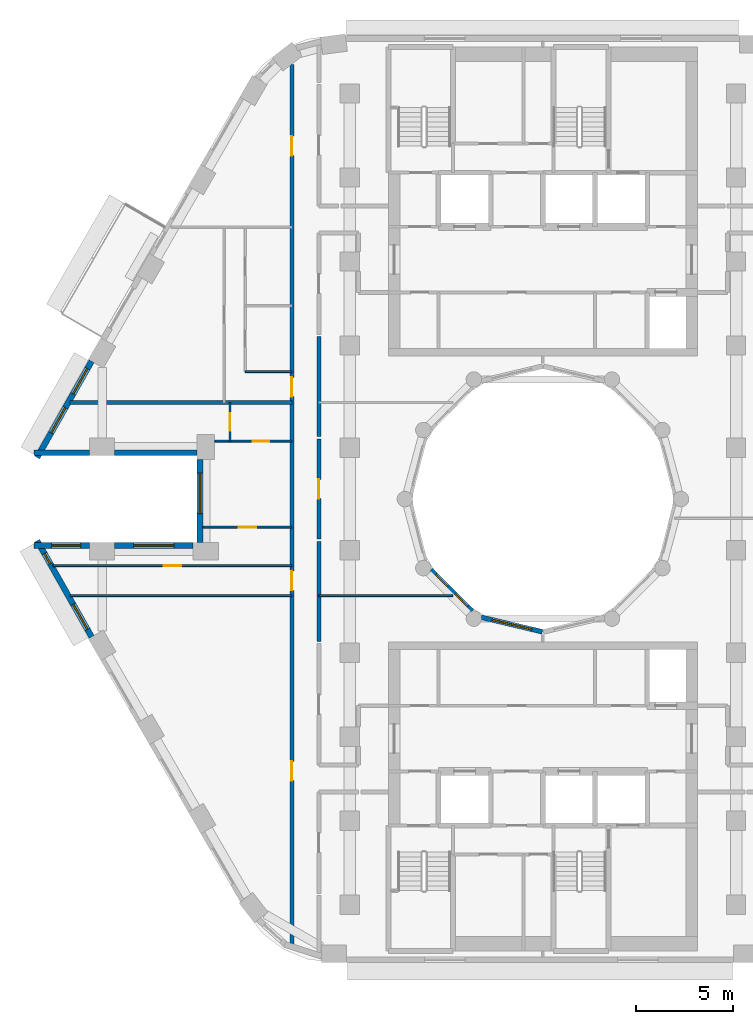
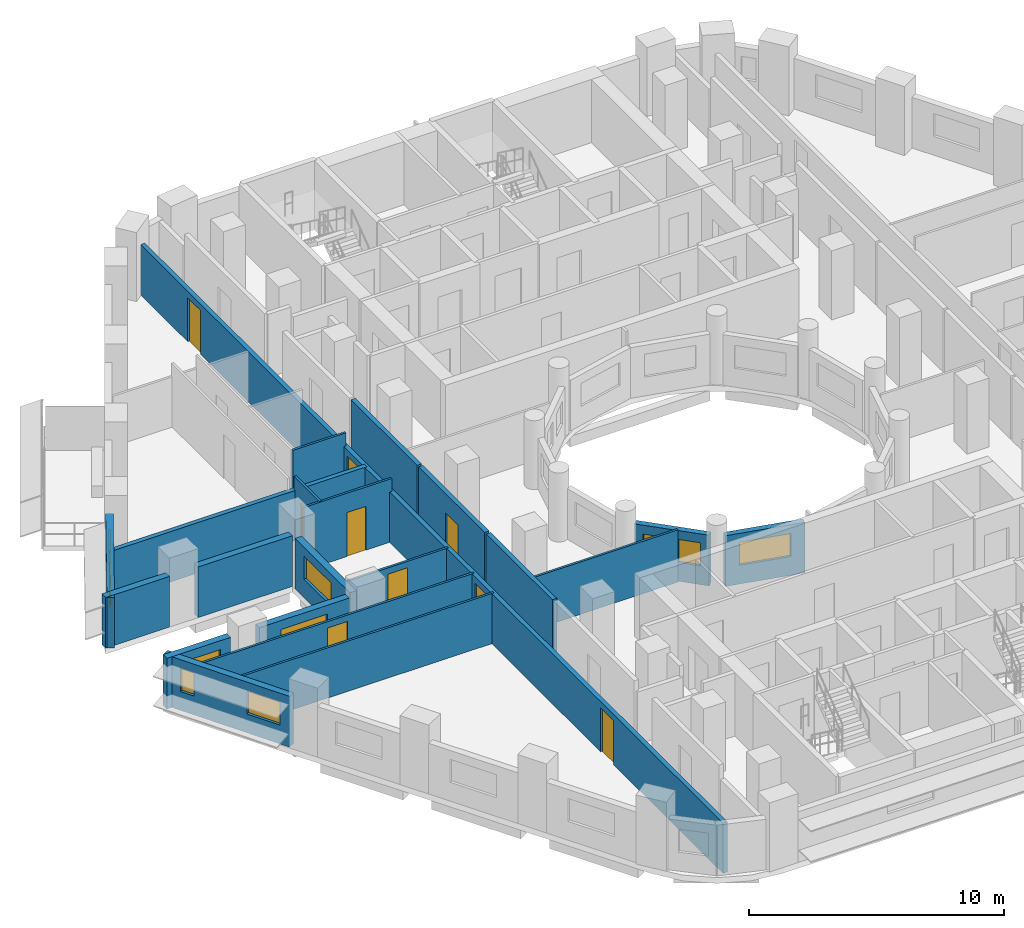
# One storey, part 4 of 13: 21 walls, 10 windows, 9 doors, 19 openings.
"""IFC4 building model written with IfcOpenShell, lengths in metres."""

from ifc_helpers import new_model, si_unit, direction, frame, frame_2d, origin, place, context, subcontext, project, spatial, rectangle, extrude, material, layer, layer_set, type_object, element, fill, save


model = new_model("IFC4")

# Units and contexts
model_context = context("Model", 3, precision=1e-05, world=origin(), true_north=direction((0.0, 1.0)))
body_context = subcontext(model_context, "Body", "Model", "MODEL_VIEW")
ifc_project = project(units=[si_unit("LENGTHUNIT", "METRE"), si_unit("AREAUNIT", "SQUARE_METRE"), si_unit("VOLUMEUNIT", "CUBIC_METRE"), si_unit("PLANEANGLEUNIT", "RADIAN"), si_unit("MASSUNIT", "GRAM", prefix="KILO")], contexts=[model_context])

# Site, building, storey
site_placement = place(None, origin())
site = spatial("IfcSite", under=ifc_project, at=site_placement, CompositionType="ELEMENT")
building_placement = place(site_placement, origin())
building = spatial("IfcBuilding", under=site, at=building_placement, Name="Nakaniwa Court", CompositionType="ELEMENT")
storey_placement = place(building_placement, frame((0.0, 0.0, 150.300048828125)))
storey = spatial("IfcBuildingStorey", under=building, at=storey_placement, Name="L39", CompositionType="ELEMENT", Elevation=150.300048828125)

# Wall
ifc_material_1 = material(Name="Acoustic double stud partition")
ifc_layer_1 = layer(ifc_material_1, 0.199951171875)
ifc_layer_set_1 = layer_set([ifc_layer_1], Name="Acoustic double stud partition")
wall_type_1 = type_object("IfcWallType", Name="Acoustic double stud partition 200", PredefinedType="PARTITIONING", material=ifc_layer_set_1)
wall_1_placement = place(storey_placement, frame((68.39990234375, 72.627197265625, 0.0), z_axis=(0.0, 0.0, 1.0), x_axis=(0.0, 1.0, 0.0)))
element("IfcWall", 1, at=wall_1_placement, inside=storey, type_object=wall_type_1, Name="Partition PW-100", PredefinedType="PARTITIONING", context=body_context, shape_type="SweptSolid", body=[
    extrude(rectangle(XDim=5.185546875, YDim=0.199951171875, at=frame_2d((2.5927734375, 0.0))), origin(), (0.0, 0.0, 1.0), 3.02490234375),
])

# Wall, opening, door
wall_2_placement = place(storey_placement, frame((68.39990234375, 83.11279296875, 0.0), z_axis=(0.0, 0.0, 1.0), x_axis=(0.0, -1.0, 0.0)))
wall_2 = element("IfcWall", 2, at=wall_2_placement, inside=storey, type_object=wall_type_1, Name="Partition PW-101", PredefinedType="PARTITIONING", context=body_context, shape_type="SweptSolid", body=[
    extrude(rectangle(XDim=5.185546875, YDim=0.199951171875, at=frame_2d((2.5927734375, 0.0))), origin(), (0.0, 0.0, 1.0), 3.02490234375),
])
opening_1_placement = place(wall_2_placement, frame((2.093017578125, 0.0, 0.0)))
opening_1 = element("IfcOpeningElement", 3, at=opening_1_placement, cuts=wall_2, Name="Opening D-02-08", PredefinedType="OPENING", context=body_context, shape_type="SweptSolid", body=[
    extrude(rectangle(XDim=1.0, YDim=2.10009765625, at=frame_2d((0.5, 1.050048828125))), frame((0.0, 0.10986328125, 0.0), z_axis=(0.0, -1.0, 0.0), x_axis=(1.0, 0.0, 0.0)), (0.0, 0.0, 1.0), 0.219970703125),
])
ifc_material_2 = material(Name="Solid core timber door set, black veneer", Category="wood")
door_type_1 = type_object("IfcDoorType", Name="Internal door 1000", OperationType="NOTDEFINED", PredefinedType="DOOR", material=ifc_material_2)
door_1_placement = place(opening_1_placement, origin())
door_1 = element("IfcDoor", 4, at=door_1_placement, inside=storey, type_object=door_type_1, Name="Door D-02-08 L39-039", OperationType="SINGLE_SWING_RIGHT", OverallHeight=2.10009765625, OverallWidth=1.0, PredefinedType="DOOR", context=body_context, shape_type="SweptSolid", body=[
    extrude(rectangle(XDim=1.0, YDim=2.10009765625, at=frame_2d((0.5, 1.050048828125))), frame((0.0, 0.02490234375, 0.0), z_axis=(0.0, -1.0, 0.0), x_axis=(1.0, 0.0, 0.0)), (0.0, 0.0, 1.0), 0.050048828125),
])
fill(opening_1, door_1)

# Wall
wall_3_placement = place(storey_placement, frame((68.39990234375, 83.227294921875, 0.0), z_axis=(0.0, 0.0, 1.0), x_axis=(0.0, 1.0, 0.0)))
element("IfcWall", 5, at=wall_3_placement, inside=storey, type_object=wall_type_1, Name="Partition PW-102", PredefinedType="PARTITIONING", context=body_context, shape_type="SweptSolid", body=[
    extrude(rectangle(XDim=5.185546875, YDim=0.199951171875, at=frame_2d((2.5927734375, 0.0))), origin(), (0.0, 0.0, 1.0), 3.02490234375),
])

# Wall, openings, doors
wall_4_placement = place(storey_placement, frame((67.0, 56.833251953125, 0.0), z_axis=(0.0, 0.0, 1.0), x_axis=(0.0, 1.0, 0.0)))
wall_4 = element("IfcWall", 6, at=wall_4_placement, inside=storey, type_object=wall_type_1, Name="Partition PW-106", PredefinedType="PARTITIONING", context=body_context, shape_type="SweptSolid", body=[
    extrude(rectangle(XDim=45.660888671875, YDim=0.199951171875, at=frame_2d((22.83056640625, 0.0))), origin(), (0.0, 0.0, 1.0), 2.405029296875),
])
opening_2_placement = place(wall_4_placement, frame((8.583984375, 0.0, 0.0)))
opening_2 = element("IfcOpeningElement", 7, at=opening_2_placement, cuts=wall_4, Name="Opening D-02-06", PredefinedType="OPENING", context=body_context, shape_type="SweptSolid", body=[
    extrude(rectangle(XDim=1.0, YDim=2.10009765625, at=frame_2d((0.5, 1.050048828125))), frame((0.0, 0.10986328125, 0.0), z_axis=(0.0, -1.0, 0.0), x_axis=(1.0, 0.0, 0.0)), (0.0, 0.0, 1.0), 0.219970703125),
])
opening_3_placement = place(wall_4_placement, frame((18.44189453125, 0.0, 0.0)))
opening_3 = element("IfcOpeningElement", 8, at=opening_3_placement, cuts=wall_4, Name="Opening D-01-02", PredefinedType="OPENING", context=body_context, shape_type="SweptSolid", body=[
    extrude(rectangle(XDim=1.0, YDim=2.10009765625, at=frame_2d((0.5, 1.050048828125))), frame((0.0, 0.10986328125, 0.0), z_axis=(0.0, -1.0, 0.0), x_axis=(1.0, 0.0, 0.0)), (0.0, 0.0, 1.0), 0.219970703125),
])
opening_4_placement = place(wall_4_placement, frame((28.467041015625, 0.0, 0.0)))
opening_4 = element("IfcOpeningElement", 9, at=opening_4_placement, cuts=wall_4, Name="Opening D-01-03", PredefinedType="OPENING", context=body_context, shape_type="SweptSolid", body=[
    extrude(rectangle(XDim=1.0, YDim=2.10009765625, at=frame_2d((0.5, 1.050048828125))), frame((0.0, 0.10986328125, 0.0), z_axis=(0.0, -1.0, 0.0), x_axis=(1.0, 0.0, 0.0)), (0.0, 0.0, 1.0), 0.219970703125),
])
opening_5_placement = place(wall_4_placement, frame((40.952880859375, 0.0, 0.0)))
opening_5 = element("IfcOpeningElement", 10, at=opening_5_placement, cuts=wall_4, Name="Opening D-02-13", PredefinedType="OPENING", context=body_context, shape_type="SweptSolid", body=[
    extrude(rectangle(XDim=1.0, YDim=2.10009765625, at=frame_2d((0.5, 1.050048828125))), frame((0.0, 0.10986328125, 0.0), z_axis=(0.0, -1.0, 0.0), x_axis=(1.0, 0.0, 0.0)), (0.0, 0.0, 1.0), 0.219970703125),
])
door_type_2 = type_object("IfcDoorType", Name="Flat entrance door 1000", OperationType="NOTDEFINED", PredefinedType="DOOR", material=ifc_material_2)
door_2_placement = place(opening_3_placement, origin())
door_2 = element("IfcDoor", 11, at=door_2_placement, inside=storey, type_object=door_type_2, Name="Door D-01-02 L39-034", OperationType="SINGLE_SWING_LEFT", OverallHeight=2.10009765625, OverallWidth=1.0, PredefinedType="DOOR", context=body_context, shape_type="SweptSolid", body=[
    extrude(rectangle(XDim=1.0, YDim=2.10009765625, at=frame_2d((0.5, 1.050048828125))), frame((0.0, 0.02490234375, 0.0), z_axis=(0.0, -1.0, 0.0), x_axis=(1.0, 0.0, 0.0)), (0.0, 0.0, 1.0), 0.050048828125),
])
fill(opening_3, door_2)
door_3_placement = place(opening_4_placement, origin())
door_3 = element("IfcDoor", 12, at=door_3_placement, inside=storey, type_object=door_type_2, Name="Door D-01-03 L39-041", OperationType="SINGLE_SWING_RIGHT", OverallHeight=2.10009765625, OverallWidth=1.0, PredefinedType="DOOR", context=body_context, shape_type="SweptSolid", body=[
    extrude(rectangle(XDim=1.0, YDim=2.10009765625, at=frame_2d((0.5, 1.050048828125))), frame((0.0, 0.02490234375, 0.0), z_axis=(0.0, -1.0, 0.0), x_axis=(1.0, 0.0, 0.0)), (0.0, 0.0, 1.0), 0.050048828125),
])
fill(opening_4, door_3)
door_4_placement = place(opening_2_placement, origin())
door_4 = element("IfcDoor", 13, at=door_4_placement, inside=storey, type_object=door_type_1, Name="Door D-02-06 L39-032", OperationType="SINGLE_SWING_LEFT", OverallHeight=2.10009765625, OverallWidth=1.0, PredefinedType="DOOR", context=body_context, shape_type="SweptSolid", body=[
    extrude(rectangle(XDim=1.0, YDim=2.10009765625, at=frame_2d((0.5, 1.050048828125))), frame((0.0, 0.02490234375, 0.0), z_axis=(0.0, -1.0, 0.0), x_axis=(1.0, 0.0, 0.0)), (0.0, 0.0, 1.0), 0.050048828125),
])
fill(opening_2, door_4)
door_5_placement = place(opening_5_placement, origin())
door_5 = element("IfcDoor", 14, at=door_5_placement, inside=storey, type_object=door_type_1, Name="Door D-02-13 L39-048", OperationType="SINGLE_SWING_LEFT", OverallHeight=2.10009765625, OverallWidth=1.0, PredefinedType="DOOR", context=body_context, shape_type="SweptSolid", body=[
    extrude(rectangle(XDim=1.0, YDim=2.10009765625, at=frame_2d((0.5, 1.050048828125))), frame((0.0, 0.02490234375, 0.0), z_axis=(0.0, -1.0, 0.0), x_axis=(1.0, 0.0, 0.0)), (0.0, 0.0, 1.0), 0.050048828125),
])
fill(opening_5, door_5)

# Wall
wall_5_placement = place(storey_placement, frame((55.5205078125, 85.0, 0.0), z_axis=(0.0, 0.0, 1.0), x_axis=(1.0, 0.0, 0.0)))
element("IfcWall", 15, at=wall_5_placement, inside=storey, type_object=wall_type_1, Name="Partition PW-127", PredefinedType="PARTITIONING", context=body_context, shape_type="SweptSolid", body=[
    extrude(rectangle(XDim=11.478515625, YDim=0.199951171875, at=frame_2d((5.7392578125, 0.0))), origin(), (0.0, 0.0, 1.0), 2.405029296875),
])

# Wall, openings, windows
ifc_material_3 = material(Name="Charcoal ceramic cladding")
ifc_layer_2 = layer(ifc_material_3, 0.02, Name="Ceramic cladding")
ifc_material_4 = material(Name="Ventilated air cavity")
ifc_layer_3 = layer(ifc_material_4, 0.04, ventilated=True, Name="Ventilated cavity")
ifc_material_5 = material(Name="Mineral wool insulation")
ifc_layer_4 = layer(ifc_material_5, 0.1, Name="Insulation")
ifc_material_6 = material(Name="Cement bonded sheathing board")
ifc_layer_5 = layer(ifc_material_6, 0.012, Name="Sheathing")
ifc_material_7 = material(Name="Cold-formed galvanised stud frame with mineral wool infill")
ifc_layer_6 = layer(ifc_material_7, 0.1, Name="Stud frame")
ifc_material_8 = material(Name="Fire-rated gypsum plasterboard lining")
ifc_layer_7 = layer(ifc_material_8, 0.028, Name="Lining")
ifc_layer_set_2 = layer_set([ifc_layer_2, ifc_layer_3, ifc_layer_4, ifc_layer_5, ifc_layer_6, ifc_layer_7], Name="Charcoal ceramic faced external wall system")
wall_type_2 = type_object("IfcWallType", Name="Black ceramic faced external wall 300", PredefinedType="SOLIDWALL", material=ifc_layer_set_2)
wall_6_placement = place(storey_placement, frame((56.63427734375, 87.13720703125, 0.0), z_axis=(0.0, 0.0, 1.0), x_axis=(-0.492498306264, -0.87031340236, 0.0)))
wall_6 = element("IfcWall", 16, at=wall_6_placement, inside=storey, type_object=wall_type_2, Name="L39 external wall 14", PredefinedType="SOLIDWALL", context=body_context, shape_type="SweptSolid", body=[
    extrude(rectangle(XDim=5.7265625, YDim=0.300048828125, at=frame_2d((2.86328125, 0.0))), origin(), (0.0, 0.0, 1.0), 2.425048828125),
])
opening_6_placement = place(wall_6_placement, frame((0.4423828125, 0.0, 0.89990234375)))
opening_6 = element("IfcOpeningElement", 17, at=opening_6_placement, cuts=wall_6, Name="Opening W5.14", PredefinedType="OPENING", context=body_context, shape_type="SweptSolid", body=[
    extrude(rectangle(XDim=1.5, YDim=1.10009765625, at=frame_2d((0.75, 0.550048828125))), frame((0.0, 0.159912109375, 0.0), z_axis=(0.0, -1.0, 0.0), x_axis=(1.0, 0.0, 0.0)), (0.0, 0.0, 1.0), 0.320068359375),
])
opening_7_placement = place(wall_6_placement, frame((2.759033203125, 0.0, 0.89990234375)))
opening_7 = element("IfcOpeningElement", 18, at=opening_7_placement, cuts=wall_6, Name="Opening W5.15", PredefinedType="OPENING", context=body_context, shape_type="SweptSolid", body=[
    extrude(rectangle(XDim=1.5, YDim=1.10009765625, at=frame_2d((0.75, 0.550048828125))), frame((0.0, 0.159912109375, 0.0), z_axis=(0.0, -1.0, 0.0), x_axis=(1.0, 0.0, 0.0)), (0.0, 0.0, 1.0), 0.320068359375),
])
ifc_material_9 = material(Name="Black anodised aluminium frame with dark low-E laminated double glazing", Category="aluminium")
window_type_1 = type_object("IfcWindowType", Name="Dark glass window 1500x1100 sill 900", PartitioningType="SINGLE_PANEL", PredefinedType="WINDOW", material=ifc_material_9)
window_1_placement = place(opening_6_placement, origin())
window_1 = element("IfcWindow", 19, at=window_1_placement, inside=storey, type_object=window_type_1, Name="L39 living window 14-0", OverallHeight=1.10009765625, OverallWidth=1.5, PartitioningType="SINGLE_PANEL", PredefinedType="WINDOW", context=body_context, shape_type="SweptSolid", body=[
    extrude(rectangle(XDim=1.5, YDim=1.10009765625, at=frame_2d((0.75, 0.550048828125))), frame((0.0, 0.030029296875, 0.0), z_axis=(0.0, -1.0, 0.0), x_axis=(1.0, 0.0, 0.0)), (0.0, 0.0, 1.0), 0.06005859375),
])
fill(opening_6, window_1)
window_2_placement = place(opening_7_placement, origin())
window_2 = element("IfcWindow", 20, at=window_2_placement, inside=storey, type_object=window_type_1, Name="L39 habitable room window 14-1", OverallHeight=1.10009765625, OverallWidth=1.5, PartitioningType="SINGLE_PANEL", PredefinedType="WINDOW", context=body_context, shape_type="SweptSolid", body=[
    extrude(rectangle(XDim=1.5, YDim=1.10009765625, at=frame_2d((0.75, 0.550048828125))), frame((0.0, 0.030029296875, 0.0), z_axis=(0.0, -1.0, 0.0), x_axis=(1.0, 0.0, 0.0)), (0.0, 0.0, 1.0), 0.06005859375),
])
fill(opening_7, window_2)

# Walls
wall_7_placement = place(storey_placement, frame((53.643310546875, 82.39990234375, 0.0), z_axis=(0.0, 0.0, 1.0), x_axis=(1.0, 0.0, 0.0)))
element("IfcWall", 21, at=wall_7_placement, inside=storey, type_object=wall_type_2, Name="L39 external wall 15", PredefinedType="SOLIDWALL", context=body_context, shape_type="SweptSolid", body=[
    extrude(rectangle(XDim=2.8876953125, YDim=0.300048828125, at=frame_2d((1.44384765625, 0.0))), origin(), (0.0, 0.0, 1.0), 2.425048828125),
])
wall_8_placement = place(storey_placement, frame((57.822998046875, 82.39990234375, 0.0), z_axis=(0.0, 0.0, 1.0), x_axis=(1.0, 0.0, 0.0)))
element("IfcWall", 22, at=wall_8_placement, inside=storey, type_object=wall_type_2, Name="L39 external wall 16", PredefinedType="SOLIDWALL", context=body_context, shape_type="SweptSolid", body=[
    extrude(rectangle(XDim=4.272705078125, YDim=0.300048828125, at=frame_2d((2.13623046875, 0.0))), origin(), (0.0, 0.0, 1.0), 2.425048828125),
])

# Wall, opening, window
wall_9_placement = place(storey_placement, frame((62.24169921875, 82.053955078125, 0.0), z_axis=(0.0, 0.0, 1.0), x_axis=(0.0, -1.0, 0.0)))
wall_9 = element("IfcWall", 23, at=wall_9_placement, inside=storey, type_object=wall_type_2, Name="L39 external wall 17", PredefinedType="SOLIDWALL", context=body_context, shape_type="SweptSolid", body=[
    extrude(rectangle(XDim=4.307861328125, YDim=0.300048828125, at=frame_2d((2.15380859375, 0.0))), origin(), (0.0, 0.0, 1.0), 2.425048828125),
])
opening_8_placement = place(wall_9_placement, frame((0.71337890625, 0.0, 0.89990234375)))
opening_8 = element("IfcOpeningElement", 24, at=opening_8_placement, cuts=wall_9, Name="Opening W7.16", PredefinedType="OPENING", context=body_context, shape_type="SweptSolid", body=[
    extrude(rectangle(XDim=2.10009765625, YDim=1.10009765625, at=frame_2d((1.050048828125, 0.550048828125))), frame((0.0, 0.159912109375, 0.0), z_axis=(0.0, -1.0, 0.0), x_axis=(1.0, 0.0, 0.0)), (0.0, 0.0, 1.0), 0.320068359375),
])
window_type_2 = type_object("IfcWindowType", Name="Dark glass window 2100x1100 sill 900", PartitioningType="SINGLE_PANEL", PredefinedType="WINDOW", material=ifc_material_9)
window_3_placement = place(opening_8_placement, origin())
window_3 = element("IfcWindow", 25, at=window_3_placement, inside=storey, type_object=window_type_2, Name="L39 living window 17-0", OverallHeight=1.10009765625, OverallWidth=2.10009765625, PartitioningType="SINGLE_PANEL", PredefinedType="WINDOW", context=body_context, shape_type="SweptSolid", body=[
    extrude(rectangle(XDim=2.10009765625, YDim=1.10009765625, at=frame_2d((1.050048828125, 0.550048828125))), frame((0.0, 0.030029296875, 0.0), z_axis=(0.0, -1.0, 0.0), x_axis=(1.0, 0.0, 0.0)), (0.0, 0.0, 1.0), 0.06005859375),
])
fill(opening_8, window_3)

wall_10_placement = place(storey_placement, frame((61.8955078125, 77.60009765625, 0.0), z_axis=(0.0, 0.0, 1.0), x_axis=(-1.0, 0.0, 0.0)))
wall_10 = element("IfcWall", 26, at=wall_10_placement, inside=storey, type_object=wall_type_2, Name="L39 external wall 18", PredefinedType="SOLIDWALL", context=body_context, shape_type="SweptSolid", body=[
    extrude(rectangle(XDim=4.072509765625, YDim=0.300048828125, at=frame_2d((2.0361328125, 0.0))), origin(), (0.0, 0.0, 1.0), 2.425048828125),
])
opening_9_placement = place(wall_10_placement, frame((0.986083984375, 0.0, 0.89990234375)))
opening_9 = element("IfcOpeningElement", 27, at=opening_9_placement, cuts=wall_10, Name="Opening W7.17", PredefinedType="OPENING", context=body_context, shape_type="SweptSolid", body=[
    extrude(rectangle(XDim=2.10009765625, YDim=1.10009765625, at=frame_2d((1.050048828125, 0.550048828125))), frame((0.0, 0.159912109375, 0.0), z_axis=(0.0, -1.0, 0.0), x_axis=(1.0, 0.0, 0.0)), (0.0, 0.0, 1.0), 0.320068359375),
])
window_4_placement = place(opening_9_placement, origin())
window_4 = element("IfcWindow", 28, at=window_4_placement, inside=storey, type_object=window_type_2, Name="L39 habitable room window 18-0", OverallHeight=1.10009765625, OverallWidth=2.10009765625, PartitioningType="SINGLE_PANEL", PredefinedType="WINDOW", context=body_context, shape_type="SweptSolid", body=[
    extrude(rectangle(XDim=2.10009765625, YDim=1.10009765625, at=frame_2d((1.050048828125, 0.550048828125))), frame((0.0, 0.030029296875, 0.0), z_axis=(0.0, -1.0, 0.0), x_axis=(1.0, 0.0, 0.0)), (0.0, 0.0, 1.0), 0.06005859375),
])
fill(opening_9, window_4)

wall_11_placement = place(storey_placement, frame((56.531005859375, 77.60009765625, 0.0), z_axis=(0.0, 0.0, 1.0), x_axis=(-1.0, 0.0, 0.0)))
wall_11 = element("IfcWall", 29, at=wall_11_placement, inside=storey, type_object=wall_type_2, Name="L39 external wall 19", PredefinedType="SOLIDWALL", context=body_context, shape_type="SweptSolid", body=[
    extrude(rectangle(XDim=2.8876953125, YDim=0.300048828125, at=frame_2d((1.44384765625, 0.0))), origin(), (0.0, 0.0, 1.0), 2.425048828125),
])
opening_10_placement = place(wall_11_placement, frame((0.468994140625, 0.0, 0.89990234375)))
opening_10 = element("IfcOpeningElement", 30, at=opening_10_placement, cuts=wall_11, Name="Opening W5.18", PredefinedType="OPENING", context=body_context, shape_type="SweptSolid", body=[
    extrude(rectangle(XDim=1.5, YDim=1.10009765625, at=frame_2d((0.75, 0.550048828125))), frame((0.0, 0.159912109375, 0.0), z_axis=(0.0, -1.0, 0.0), x_axis=(1.0, 0.0, 0.0)), (0.0, 0.0, 1.0), 0.320068359375),
])
window_5_placement = place(opening_10_placement, origin())
window_5 = element("IfcWindow", 31, at=window_5_placement, inside=storey, type_object=window_type_1, Name="L39 habitable room window 19-0", OverallHeight=1.10009765625, OverallWidth=1.5, PartitioningType="SINGLE_PANEL", PredefinedType="WINDOW", context=body_context, shape_type="SweptSolid", body=[
    extrude(rectangle(XDim=1.5, YDim=1.10009765625, at=frame_2d((0.75, 0.550048828125))), frame((0.0, 0.030029296875, 0.0), z_axis=(0.0, -1.0, 0.0), x_axis=(1.0, 0.0, 0.0)), (0.0, 0.0, 1.0), 0.06005859375),
])
fill(opening_10, window_5)

# Wall, openings, windows
wall_12_placement = place(storey_placement, frame((53.81396484375, 77.8466796875, 0.0), z_axis=(0.0, 0.0, 1.0), x_axis=(0.492498306264, -0.87031340236, 0.0)))
wall_12 = element("IfcWall", 32, at=wall_12_placement, inside=storey, type_object=wall_type_2, Name="L39 external wall 20", PredefinedType="SOLIDWALL", context=body_context, shape_type="SweptSolid", body=[
    extrude(rectangle(XDim=5.7265625, YDim=0.300048828125, at=frame_2d((2.86328125, 0.0))), origin(), (0.0, 0.0, 1.0), 2.425048828125),
])
opening_11_placement = place(wall_12_placement, frame((0.76904296875, 0.0, 0.89990234375)))
opening_11 = element("IfcOpeningElement", 33, at=opening_11_placement, cuts=wall_12, Name="Opening W8.19", PredefinedType="OPENING", context=body_context, shape_type="SweptSolid", body=[
    extrude(rectangle(XDim=0.60009765625, YDim=1.10009765625, at=frame_2d((0.300048828125, 0.550048828125))), frame((0.0, 0.159912109375, 0.0), z_axis=(0.0, -1.0, 0.0), x_axis=(1.0, 0.0, 0.0)), (0.0, 0.0, 1.0), 0.320068359375),
])
opening_12_placement = place(wall_12_placement, frame((3.783935546875, 0.0, 0.89990234375)))
opening_12 = element("IfcOpeningElement", 34, at=opening_12_placement, cuts=wall_12, Name="Opening W5.20", PredefinedType="OPENING", context=body_context, shape_type="SweptSolid", body=[
    extrude(rectangle(XDim=1.5, YDim=1.10009765625, at=frame_2d((0.75, 0.550048828125))), frame((0.0, 0.159912109375, 0.0), z_axis=(0.0, -1.0, 0.0), x_axis=(1.0, 0.0, 0.0)), (0.0, 0.0, 1.0), 0.320068359375),
])
window_6_placement = place(opening_12_placement, origin())
window_6 = element("IfcWindow", 35, at=window_6_placement, inside=storey, type_object=window_type_1, Name="L39 habitable room window 20-2", OverallHeight=1.10009765625, OverallWidth=1.5, PartitioningType="SINGLE_PANEL", PredefinedType="WINDOW", context=body_context, shape_type="SweptSolid", body=[
    extrude(rectangle(XDim=1.5, YDim=1.10009765625, at=frame_2d((0.75, 0.550048828125))), frame((0.0, 0.030029296875, 0.0), z_axis=(0.0, -1.0, 0.0), x_axis=(1.0, 0.0, 0.0)), (0.0, 0.0, 1.0), 0.06005859375),
])
fill(opening_12, window_6)
window_type_3 = type_object("IfcWindowType", Name="Dark glass window 600x1100 sill 900", PartitioningType="SINGLE_PANEL", PredefinedType="WINDOW", material=ifc_material_9)
window_7_placement = place(opening_11_placement, origin())
window_7 = element("IfcWindow", 36, at=window_7_placement, inside=storey, type_object=window_type_3, Name="L39 habitable room window 20-0", OverallHeight=1.10009765625, OverallWidth=0.60009765625, PartitioningType="SINGLE_PANEL", PredefinedType="WINDOW", context=body_context, shape_type="SweptSolid", body=[
    extrude(rectangle(XDim=0.60009765625, YDim=1.10009765625, at=frame_2d((0.300048828125, 0.550048828125))), frame((0.0, 0.030029296875, 0.0), z_axis=(0.0, -1.0, 0.0), x_axis=(1.0, 0.0, 0.0)), (0.0, 0.0, 1.0), 0.06005859375),
])
fill(opening_11, window_7)

# Wall, opening, window
ifc_layer_8 = layer(ifc_material_3, 0.02, Name="Ceramic cladding")
ifc_layer_9 = layer(ifc_material_4, 0.04, ventilated=True, Name="Ventilated cavity")
ifc_layer_10 = layer(ifc_material_5, 0.075, Name="Insulation")
ifc_layer_11 = layer(ifc_material_6, 0.012, Name="Sheathing")
ifc_layer_12 = layer(ifc_material_7, 0.075, Name="Stud frame")
ifc_layer_13 = layer(ifc_material_8, 0.028, Name="Lining")
ifc_layer_set_3 = layer_set([ifc_layer_8, ifc_layer_9, ifc_layer_10, ifc_layer_11, ifc_layer_12, ifc_layer_13], Name="Charcoal ceramic faced external wall system")
wall_type_3 = type_object("IfcWallType", Name="Charcoal ceramic faced well wall 250", PredefinedType="SOLIDWALL", material=ifc_layer_set_3)
wall_13_placement = place(storey_placement, frame((79.970947265625, 73.12841796875, 0.0), z_axis=(0.0, 0.0, 1.0), x_axis=(-0.972773113459, 0.231759508395, 0.0)))
wall_13 = element("IfcWall", 37, at=wall_13_placement, inside=storey, type_object=wall_type_3, Name="L39 external wall 39", PredefinedType="SOLIDWALL", context=body_context, shape_type="SweptSolid", body=[
    extrude(rectangle(XDim=3.24560546875, YDim=0.25, at=frame_2d((1.622802734375, 0.0))), origin(), (0.0, 0.0, 1.0), 2.425048828125),
])
opening_13_placement = place(wall_13_placement, frame((0.57275390625, 0.0, 0.89990234375)))
opening_13 = element("IfcOpeningElement", 38, at=opening_13_placement, cuts=wall_13, Name="Opening W7.39", PredefinedType="OPENING", context=body_context, shape_type="SweptSolid", body=[
    extrude(rectangle(XDim=2.10009765625, YDim=1.10009765625, at=frame_2d((1.050048828125, 0.550048828125))), frame((0.0, 0.135009765625, 0.0), z_axis=(0.0, -1.0, 0.0), x_axis=(1.0, 0.0, 0.0)), (0.0, 0.0, 1.0), 0.27001953125),
])
window_8_placement = place(opening_13_placement, origin())
window_8 = element("IfcWindow", 39, at=window_8_placement, inside=storey, type_object=window_type_2, Name="L39 habitable room window 39-0", OverallHeight=1.10009765625, OverallWidth=2.10009765625, PartitioningType="SINGLE_PANEL", PredefinedType="WINDOW", context=body_context, shape_type="SweptSolid", body=[
    extrude(rectangle(XDim=2.10009765625, YDim=1.10009765625, at=frame_2d((1.050048828125, 0.550048828125))), frame((0.0, 0.030029296875, 0.0), z_axis=(0.0, -1.0, 0.0), x_axis=(1.0, 0.0, 0.0)), (0.0, 0.0, 1.0), 0.06005859375),
])
fill(opening_13, window_8)

# Wall, openings, windows
wall_14_placement = place(storey_placement, frame((76.339111328125, 74.1943359375, 0.0), z_axis=(0.0, 0.0, 1.0), x_axis=(-0.707106781187, 0.707106781187, 0.0)))
wall_14 = element("IfcWall", 40, at=wall_14_placement, inside=storey, type_object=wall_type_3, Name="L39 external wall 40", PredefinedType="SOLIDWALL", context=body_context, shape_type="SweptSolid", body=[
    extrude(rectangle(XDim=3.033203125, YDim=0.25, at=frame_2d((1.5166015625, 0.0))), origin(), (0.0, 0.0, 1.0), 2.425048828125),
])
opening_14_placement = place(wall_14_placement, frame((0.34521484375, 0.0, 0.89990234375)))
opening_14 = element("IfcOpeningElement", 41, at=opening_14_placement, cuts=wall_14, Name="Opening W9.40", PredefinedType="OPENING", context=body_context, shape_type="SweptSolid", body=[
    extrude(rectangle(XDim=0.89990234375, YDim=1.10009765625, at=frame_2d((0.449951171875, 0.550048828125))), frame((0.0, 0.135009765625, 0.0), z_axis=(0.0, -1.0, 0.0), x_axis=(1.0, 0.0, 0.0)), (0.0, 0.0, 1.0), 0.27001953125),
])
opening_15_placement = place(wall_14_placement, frame((1.780029296875, 0.0, 0.89990234375)))
opening_15 = element("IfcOpeningElement", 42, at=opening_15_placement, cuts=wall_14, Name="Opening W9.41", PredefinedType="OPENING", context=body_context, shape_type="SweptSolid", body=[
    extrude(rectangle(XDim=0.89990234375, YDim=1.10009765625, at=frame_2d((0.449951171875, 0.550048828125))), frame((0.0, 0.135009765625, 0.0), z_axis=(0.0, -1.0, 0.0), x_axis=(1.0, 0.0, 0.0)), (0.0, 0.0, 1.0), 0.27001953125),
])
window_type_4 = type_object("IfcWindowType", Name="Dark glass window 900x1100 sill 900", PartitioningType="SINGLE_PANEL", PredefinedType="WINDOW", material=ifc_material_9)
window_9_placement = place(opening_14_placement, origin())
window_9 = element("IfcWindow", 43, at=window_9_placement, inside=storey, type_object=window_type_4, Name="L39 habitable room window 40-0", OverallHeight=1.10009765625, OverallWidth=0.89990234375, PartitioningType="SINGLE_PANEL", PredefinedType="WINDOW", context=body_context, shape_type="SweptSolid", body=[
    extrude(rectangle(XDim=0.89990234375, YDim=1.10009765625, at=frame_2d((0.449951171875, 0.550048828125))), frame((0.0, 0.030029296875, 0.0), z_axis=(0.0, -1.0, 0.0), x_axis=(1.0, 0.0, 0.0)), (0.0, 0.0, 1.0), 0.06005859375),
])
fill(opening_14, window_9)
window_10_placement = place(opening_15_placement, origin())
window_10 = element("IfcWindow", 44, at=window_10_placement, inside=storey, type_object=window_type_4, Name="L39 habitable room window 40-1", OverallHeight=1.10009765625, OverallWidth=0.89990234375, PartitioningType="SINGLE_PANEL", PredefinedType="WINDOW", context=body_context, shape_type="SweptSolid", body=[
    extrude(rectangle(XDim=0.89990234375, YDim=1.10009765625, at=frame_2d((0.449951171875, 0.550048828125))), frame((0.0, 0.030029296875, 0.0), z_axis=(0.0, -1.0, 0.0), x_axis=(1.0, 0.0, 0.0)), (0.0, 0.0, 1.0), 0.06005859375),
])
fill(opening_15, window_10)

# Walls
ifc_material_10 = material(Name="Single stud plasterboard partition")
ifc_layer_14 = layer(ifc_material_10, 0.10009765625)
ifc_layer_set_4 = layer_set([ifc_layer_14], Name="Single stud plasterboard partition")
wall_type_4 = type_object("IfcWallType", Name="Single stud plasterboard partition 100", PredefinedType="PARTITIONING", material=ifc_layer_set_4)
wall_15_placement = place(storey_placement, frame((55.5205078125, 75.0, 0.0), z_axis=(0.0, 0.0, 1.0), x_axis=(1.0, 0.0, 0.0)))
element("IfcWall", 45, at=wall_15_placement, inside=storey, type_object=wall_type_4, Name="Partition PW-121", PredefinedType="PARTITIONING", context=body_context, shape_type="SweptSolid", body=[
    extrude(rectangle(XDim=11.478515625, YDim=0.10009765625, at=frame_2d((5.7392578125, 0.0))), origin(), (0.0, 0.0, 1.0), 2.405029296875),
])
wall_16_placement = place(storey_placement, frame((68.40087890625, 75.0, 0.0), z_axis=(0.0, 0.0, 1.0), x_axis=(1.0, 0.0, 0.0)))
element("IfcWall", 46, at=wall_16_placement, inside=storey, type_object=wall_type_4, Name="Partition PW-122", PredefinedType="PARTITIONING", context=body_context, shape_type="SweptSolid", body=[
    extrude(rectangle(XDim=6.92578125, YDim=0.10009765625, at=frame_2d((3.462890625, 0.0))), origin(), (0.0, 0.0, 1.0), 2.5048828125),
])

# Wall, opening, door
wall_17_placement = place(storey_placement, frame((54.62548828125, 76.550048828125, 0.0), z_axis=(0.0, 0.0, 1.0), x_axis=(1.0, 0.0, 0.0)))
wall_17 = element("IfcWall", 47, at=wall_17_placement, inside=storey, type_object=wall_type_4, Name="Partition PW-123", PredefinedType="PARTITIONING", context=body_context, shape_type="SweptSolid", body=[
    extrude(rectangle(XDim=12.37353515625, YDim=0.10009765625, at=frame_2d((6.186767578125, 0.0))), origin(), (0.0, 0.0, 1.0), 2.405029296875),
])
opening_16_placement = place(wall_17_placement, frame((5.737060546875, 0.0, 0.0)))
opening_16 = element("IfcOpeningElement", 48, at=opening_16_placement, cuts=wall_17, Name="Opening D-33-03", PredefinedType="OPENING", context=body_context, shape_type="SweptSolid", body=[
    extrude(rectangle(XDim=0.89990234375, YDim=2.10009765625, at=frame_2d((0.449951171875, 1.050048828125))), frame((0.0, 0.06005859375, 0.0), z_axis=(0.0, -1.0, 0.0), x_axis=(1.0, 0.0, 0.0)), (0.0, 0.0, 1.0), 0.1201171875),
])
door_type_3 = type_object("IfcDoorType", Name="Internal door 900", OperationType="NOTDEFINED", PredefinedType="DOOR", material=ifc_material_2)
door_6_placement = place(opening_16_placement, origin())
door_6 = element("IfcDoor", 49, at=door_6_placement, inside=storey, type_object=door_type_3, Name="Door D-33-03 L39-035", OperationType="SINGLE_SWING_RIGHT", OverallHeight=2.10009765625, OverallWidth=0.89990234375, PredefinedType="DOOR", context=body_context, shape_type="SweptSolid", body=[
    extrude(rectangle(XDim=0.89990234375, YDim=2.10009765625, at=frame_2d((0.449951171875, 1.050048828125))), frame((0.0, 0.02490234375, 0.0), z_axis=(0.0, -1.0, 0.0), x_axis=(1.0, 0.0, 0.0)), (0.0, 0.0, 1.0), 0.050048828125),
])
fill(opening_16, door_6)

wall_18_placement = place(storey_placement, frame((62.3916015625, 78.551025390625, 0.0), z_axis=(0.0, 0.0, 1.0), x_axis=(1.0, 0.0, 0.0)))
wall_18 = element("IfcWall", 50, at=wall_18_placement, inside=storey, type_object=wall_type_4, Name="Partition PW-124", PredefinedType="PARTITIONING", context=body_context, shape_type="SweptSolid", body=[
    extrude(rectangle(XDim=4.607421875, YDim=0.10009765625, at=frame_2d((2.3037109375, 0.0))), origin(), (0.0, 0.0, 1.0), 2.405029296875),
])
opening_17_placement = place(wall_18_placement, frame((1.85400390625, 0.0, 0.0)))
opening_17 = element("IfcOpeningElement", 51, at=opening_17_placement, cuts=wall_18, Name="Opening D-33-04", PredefinedType="OPENING", context=body_context, shape_type="SweptSolid", body=[
    extrude(rectangle(XDim=0.89990234375, YDim=2.10009765625, at=frame_2d((0.449951171875, 1.050048828125))), frame((0.0, 0.06005859375, 0.0), z_axis=(0.0, -1.0, 0.0), x_axis=(1.0, 0.0, 0.0)), (0.0, 0.0, 1.0), 0.1201171875),
])
door_7_placement = place(opening_17_placement, origin())
door_7 = element("IfcDoor", 52, at=door_7_placement, inside=storey, type_object=door_type_3, Name="Door D-33-04 L39-036", OperationType="SINGLE_SWING_LEFT", OverallHeight=2.10009765625, OverallWidth=0.89990234375, PredefinedType="DOOR", context=body_context, shape_type="SweptSolid", body=[
    extrude(rectangle(XDim=0.89990234375, YDim=2.10009765625, at=frame_2d((0.449951171875, 1.050048828125))), frame((0.0, 0.02490234375, 0.0), z_axis=(0.0, -1.0, 0.0), x_axis=(1.0, 0.0, 0.0)), (0.0, 0.0, 1.0), 0.050048828125),
])
fill(opening_17, door_7)

wall_19_placement = place(storey_placement, frame((63.01171875, 82.9990234375, 0.0), z_axis=(0.0, 0.0, 1.0), x_axis=(1.0, 0.0, 0.0)))
wall_19 = element("IfcWall", 53, at=wall_19_placement, inside=storey, type_object=wall_type_4, Name="Partition PW-125", PredefinedType="PARTITIONING", context=body_context, shape_type="SweptSolid", body=[
    extrude(rectangle(XDim=3.9873046875, YDim=0.10009765625, at=frame_2d((1.99365234375, 0.0))), origin(), (0.0, 0.0, 1.0), 3.02490234375),
])
opening_18_placement = place(wall_19_placement, frame((1.9619140625, 0.0, 0.0)))
opening_18 = element("IfcOpeningElement", 54, at=opening_18_placement, cuts=wall_19, Name="Opening D-03-02", PredefinedType="OPENING", context=body_context, shape_type="SweptSolid", body=[
    extrude(rectangle(XDim=0.85009765625, YDim=2.10009765625, at=frame_2d((0.425048828125, 1.050048828125))), frame((0.0, 0.06005859375, 0.0), z_axis=(0.0, -1.0, 0.0), x_axis=(1.0, 0.0, 0.0)), (0.0, 0.0, 1.0), 0.1201171875),
])
ifc_material_11 = material(Name="Moisture sealed timber door set", Category="wood")
door_type_4 = type_object("IfcDoorType", Name="Bathroom door 850", OperationType="NOTDEFINED", PredefinedType="DOOR", material=ifc_material_11)
door_8_placement = place(opening_18_placement, origin())
door_8 = element("IfcDoor", 55, at=door_8_placement, inside=storey, type_object=door_type_4, Name="Door D-03-02 L39-037", OperationType="SINGLE_SWING_RIGHT", OverallHeight=2.10009765625, OverallWidth=0.85009765625, PredefinedType="DOOR", context=body_context, shape_type="SweptSolid", body=[
    extrude(rectangle(XDim=0.85009765625, YDim=2.10009765625, at=frame_2d((0.425048828125, 1.050048828125))), frame((0.0, 0.02490234375, 0.0), z_axis=(0.0, -1.0, 0.0), x_axis=(1.0, 0.0, 0.0)), (0.0, 0.0, 1.0), 0.050048828125),
])
fill(opening_18, door_8)

wall_20_placement = place(storey_placement, frame((63.799072265625, 82.998779296875, 0.0), z_axis=(0.0, 0.0, 1.0), x_axis=(0.0, 1.0, 0.0)))
wall_20 = element("IfcWall", 56, at=wall_20_placement, inside=storey, type_object=wall_type_4, Name="Partition PW-126", PredefinedType="PARTITIONING", context=body_context, shape_type="SweptSolid", body=[
    extrude(rectangle(XDim=2.001220703125, YDim=0.10009765625, at=frame_2d((1.00048828125, 0.0))), origin(), (0.0, 0.0, 1.0), 3.02490234375),
])
opening_19_placement = place(wall_20_placement, frame((0.551025390625, 0.0, 0.0)))
opening_19 = element("IfcOpeningElement", 57, at=opening_19_placement, cuts=wall_20, Name="Opening D-33-05", PredefinedType="OPENING", context=body_context, shape_type="SweptSolid", body=[
    extrude(rectangle(XDim=0.89990234375, YDim=2.10009765625, at=frame_2d((0.449951171875, 1.050048828125))), frame((0.0, 0.06005859375, 0.0), z_axis=(0.0, -1.0, 0.0), x_axis=(1.0, 0.0, 0.0)), (0.0, 0.0, 1.0), 0.1201171875),
])
door_9_placement = place(opening_19_placement, origin())
door_9 = element("IfcDoor", 58, at=door_9_placement, inside=storey, type_object=door_type_3, Name="Door D-33-05 L39-038", OperationType="SINGLE_SWING_LEFT", OverallHeight=2.10009765625, OverallWidth=0.89990234375, PredefinedType="DOOR", context=body_context, shape_type="SweptSolid", body=[
    extrude(rectangle(XDim=0.89990234375, YDim=2.10009765625, at=frame_2d((0.449951171875, 1.050048828125))), frame((0.0, 0.02490234375, 0.0), z_axis=(0.0, -1.0, 0.0), x_axis=(1.0, 0.0, 0.0)), (0.0, 0.0, 1.0), 0.050048828125),
])
fill(opening_19, door_9)

# Wall
wall_21_placement = place(storey_placement, frame((64.59912109375, 86.60009765625, 0.0), z_axis=(0.0, 0.0, 1.0), x_axis=(1.0, 0.0, 0.0)))
element("IfcWall", 59, at=wall_21_placement, inside=storey, type_object=wall_type_4, Name="Partition PW-131", PredefinedType="PARTITIONING", context=body_context, shape_type="SweptSolid", body=[
    extrude(rectangle(XDim=2.39990234375, YDim=0.10009765625, at=frame_2d((1.199951171875, 0.0))), origin(), (0.0, 0.0, 1.0), 3.02490234375),
])

save(model, "model.ifc")
